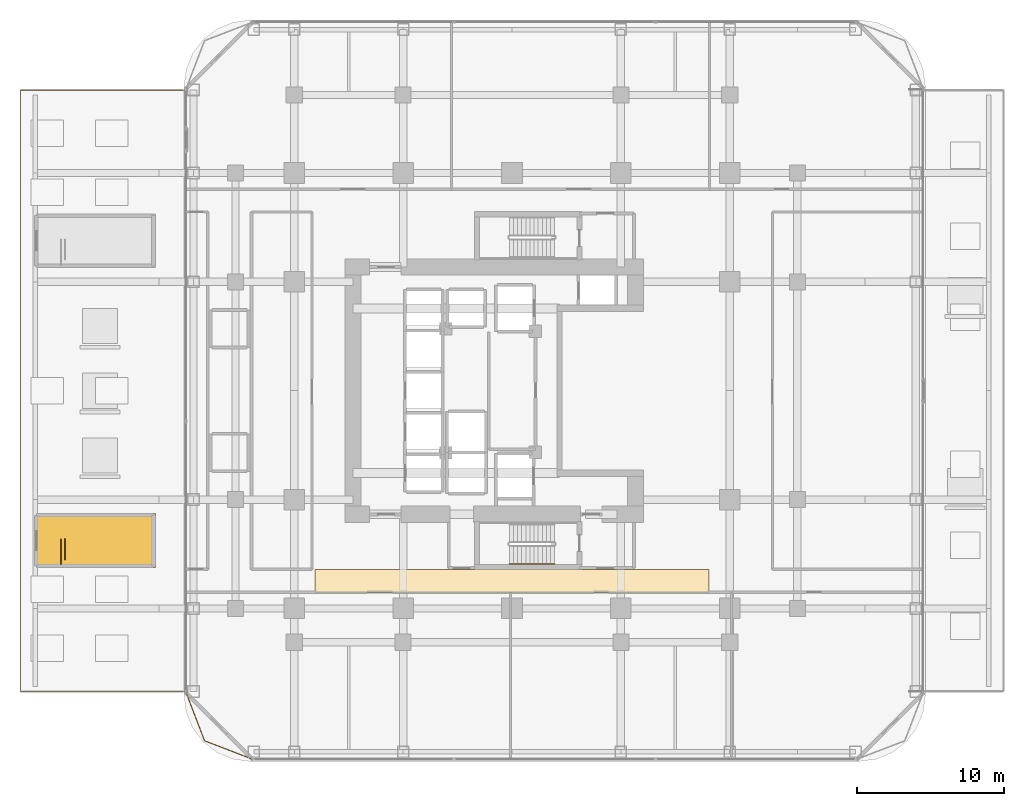
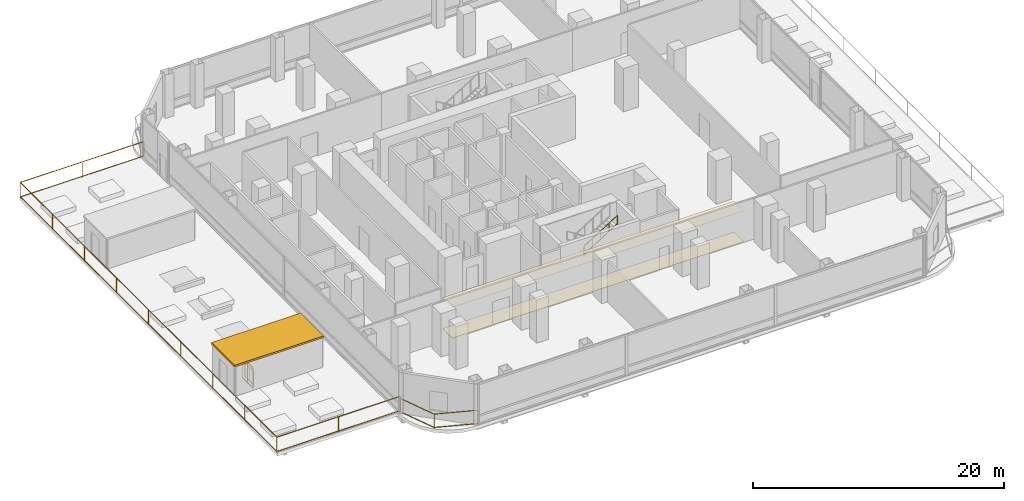
# One storey, part 26 of 29: 5 railings, 2 coverings, 1 shading device.
"""IFC4 building model written with IfcOpenShell, lengths in metres."""

import ifcopenshell
import ifcopenshell.guid

model = None  # the IFC model being written
_history = None  # IfcOwnerHistory: only IFC2X3 demands one
_inside = {}  # id of a spatial element -> (the spatial element, [elements in it])
_under = {}  # id of a project, library or spatial element -> (it, [spatial elements below it])
_declared = {}  # id of a project -> (the project, [libraries it declares])
_typed = {}  # id of a type object -> (the type object, [elements of that type])
_made_of = {}  # id of a material, layer set ... -> (it, [elements and type objects made of it])


def new_model(schema):
    """Start an empty IFC model of exactly this schema.

    Asked for "IFC4X3", IfcOpenShell would pick the latest addendum, in which some entities
    have other attributes; the version numbers below select the first issue.
    IFC2X3 requires an IfcOwnerHistory on every rooted entity: one is made here for all.
    """
    global model, _history
    if schema == "IFC4X3":
        model = ifcopenshell.file(schema_version=(4, 3, 0, 0))
    else:
        model = ifcopenshell.file(schema=schema)
    _inside.clear()
    _under.clear()
    _declared.clear()
    _typed.clear()
    _made_of.clear()
    _history = None
    if model.schema == "IFC2X3":
        org = make("IfcOrganization", Name="unknown")
        user = make(
            "IfcPersonAndOrganization",
            ThePerson=make("IfcPerson", FamilyName="unknown"),
            TheOrganization=org,
        )
        app = make(
            "IfcApplication",
            ApplicationDeveloper=org,
            Version="unknown",
            ApplicationFullName="unknown",
            ApplicationIdentifier="unknown",
        )
        _history = make(
            "IfcOwnerHistory",
            OwningUser=user,
            OwningApplication=app,
            ChangeAction="ADDED",
            CreationDate=0,
        )
    return model


def make(cls, **values):
    """One entity of the class cls with the attributes given. An attribute that is None is left unset."""
    return model.create_entity(
        cls, **{name: value for name, value in values.items() if value is not None}
    )


def rooted(cls, **values):
    """An entity with a GlobalId (a new one), such as an element, a storey or a relation."""
    return make(cls, GlobalId=ifcopenshell.guid.new(), OwnerHistory=_history, **values)


def si_unit(unit_type, name, prefix=None):
    """IfcSIUnit, for example si_unit("LENGTHUNIT", "METRE", prefix="MILLI")."""
    return make("IfcSIUnit", UnitType=unit_type, Prefix=prefix, Name=name)


def assignment(units):
    """IfcUnitAssignment: the units of a project."""
    return None if units is None else make("IfcUnitAssignment", Units=units)


def point(xyz):
    """IfcCartesianPoint."""
    return None if xyz is None else make("IfcCartesianPoint", Coordinates=xyz)


def direction(xyz):
    """IfcDirection."""
    return None if xyz is None else make("IfcDirection", DirectionRatios=xyz)


def frame(location, z_axis=None, x_axis=None):
    """IfcAxis2Placement3D, a coordinate frame: its origin and axes. An axis left out is left unset."""
    return make(
        "IfcAxis2Placement3D",
        Location=point(location),
        Axis=direction(z_axis),
        RefDirection=direction(x_axis),
    )


def frame_2d(location, x_axis=None):
    """IfcAxis2Placement2D, a coordinate frame in the plane: its origin and x axis."""
    return make(
        "IfcAxis2Placement2D", Location=point(location), RefDirection=direction(x_axis)
    )


def origin():
    """The frame at (0, 0, 0) with its axes left unset."""
    return frame((0.0, 0.0, 0.0))


def origin_2d():
    """The frame at (0, 0) in the plane with its x axis left unset."""
    return frame_2d((0.0, 0.0))


def place(relative_to, where):
    """IfcLocalPlacement: puts the frame where relative to a parent placement (None: the world)."""
    return make(
        "IfcLocalPlacement", PlacementRelTo=relative_to, RelativePlacement=where
    )


def context(
    kind, dimensions, precision=None, world=None, true_north=None, identifier=None
):
    """IfcGeometricRepresentationContext, for example the 3D "Model" context."""
    return make(
        "IfcGeometricRepresentationContext",
        ContextIdentifier=identifier,
        ContextType=kind,
        CoordinateSpaceDimension=dimensions,
        Precision=precision,
        WorldCoordinateSystem=world,
        TrueNorth=true_north,
    )


def subcontext(parent, identifier, kind, view, scale=None):
    """IfcGeometricRepresentationSubContext, for example "Body" below "Model"."""
    return make(
        "IfcGeometricRepresentationSubContext",
        ContextIdentifier=identifier,
        ContextType=kind,
        ParentContext=parent,
        TargetScale=scale,
        TargetView=view,
    )


def project(units=None, contexts=None):
    """IfcProject with its units and contexts."""
    return rooted(
        "IfcProject",
        Name="project",
        RepresentationContexts=contexts,
        UnitsInContext=assignment(units),
    )


def spatial(cls, under=None, at=None, **own):
    """A site, building, storey or space (cls), placed at a placement, below another one or the project."""
    s = rooted(cls, ObjectPlacement=at, **own)
    if under is not None:
        _under.setdefault(under.id(), (under, []))[1].append(s)
    return s


def polyline(points):
    """IfcPolyline through the points."""
    return make("IfcPolyline", Points=[point(p) for p in points])


def profile(cls, at=None, kind="AREA", **sizes):
    """A parametric profile (cls). Its sizes go by their IFC names, for example OverallWidth=200.0."""
    return make(cls, ProfileType=kind, Position=at, **sizes)


def rectangle(**sizes):
    """IfcRectangleProfileDef."""
    return profile("IfcRectangleProfileDef", **sizes)


def outline(outer, holes=None, kind="AREA"):
    """IfcArbitraryClosedProfileDef: a profile drawn as a closed curve; with holes, ...WithVoids."""
    if holes is None:
        return make("IfcArbitraryClosedProfileDef", ProfileType=kind, OuterCurve=outer)
    return make(
        "IfcArbitraryProfileDefWithVoids",
        ProfileType=kind,
        OuterCurve=outer,
        InnerCurves=holes,
    )


def extrude(swept, where, along, depth):
    """IfcExtrudedAreaSolid: the profile swept, set in the frame where, extruded along a direction by depth."""
    return make(
        "IfcExtrudedAreaSolid",
        SweptArea=swept,
        Position=where,
        ExtrudedDirection=direction(along),
        Depth=depth,
    )


def shape(context_of_items, identifier, shape_type, items):
    """IfcShapeRepresentation: the items that make up one representation, for example the "Body"."""
    return make(
        "IfcShapeRepresentation",
        ContextOfItems=context_of_items,
        RepresentationIdentifier=identifier,
        RepresentationType=shape_type,
        Items=items,
    )


def material(Name=None, Category=None):
    """IfcMaterial."""
    return make("IfcMaterial", Name=Name, Category=Category)


def layer(
    of_material, thickness, ventilated=None, Name=None, Category=None, Priority=None
):
    """IfcMaterialLayer: one layer of a wall or slab, of a material (None: an air gap)."""
    return make(
        "IfcMaterialLayer",
        Material=of_material,
        LayerThickness=thickness,
        IsVentilated=ventilated,
        Name=Name,
        Category=Category,
        Priority=Priority,
    )


def layer_set(layers, Name=None):
    """IfcMaterialLayerSet."""
    return make("IfcMaterialLayerSet", MaterialLayers=layers, LayerSetName=Name)


def made_of(thing, what):
    """Note that an element or type object is made of a material, layer set ...; save() writes the relation."""
    if what is not None:
        _made_of.setdefault(what.id(), (what, []))[1].append(thing)
    return thing


def type_object(cls, material=None, **own):
    """A type object (cls), such as IfcWallType, which elements share."""
    return made_of(rooted(cls, **own), material)


def element(
    cls,
    number,
    at=None,
    inside=None,
    cuts=None,
    type_object=None,
    material=None,
    context=None,
    identifier="Body",
    shape_type=None,
    held_by="IfcProductDefinitionShape",
    body=None,
    shapes=None,
    **own,
):
    """One element of the class cls, such as IfcWall. Its Tag is "e" and its number.

    at: its placement. inside: the storey or other place that contains it. cuts: it is an
    opening in that element (IfcRelVoidsElement). A single representation is given by context,
    identifier, shape_type and body (its items); several are given by shapes. held_by: the class
    of the entity that holds the representations. save() writes the other relations.
    """
    e = rooted(cls, Tag="e%d" % number, ObjectPlacement=at, **own)
    if body is not None:
        shapes = [shape(context, identifier, shape_type, body)]
    if shapes is not None:
        e.Representation = make(held_by, Representations=shapes)
    if inside is not None:
        _inside.setdefault(inside.id(), (inside, []))[1].append(e)
    if cuts is not None:
        rooted(
            "IfcRelVoidsElement", RelatingBuildingElement=cuts, RelatedOpeningElement=e
        )
    if type_object is not None:
        _typed.setdefault(type_object.id(), (type_object, []))[1].append(e)
    return made_of(e, material)


def aggregate(whole, parts):
    """IfcRelAggregates: a whole, such as a stair, and the parts it consists of."""
    return rooted("IfcRelAggregates", RelatingObject=whole, RelatedObjects=parts)


def save(model, path):
    """Write the relations noted so far, then the file.

    IfcRelAggregates (storeys below a building ...), IfcRelContainedInSpatialStructure (elements
    in a storey), IfcRelDefinesByType, IfcRelAssociatesMaterial and IfcRelDeclares: one each for
    every whole, place, type object, material and project.
    """
    for whole, parts in _under.values():
        aggregate(whole, parts)
    for where, things in _inside.values():
        rooted(
            "IfcRelContainedInSpatialStructure",
            RelatedElements=things,
            RelatingStructure=where,
        )
    for kind, things in _typed.values():
        rooted("IfcRelDefinesByType", RelatedObjects=things, RelatingType=kind)
    for what, things in _made_of.values():
        rooted("IfcRelAssociatesMaterial", RelatedObjects=things, RelatingMaterial=what)
    for by, libraries in _declared.values():
        rooted("IfcRelDeclares", RelatingContext=by, RelatedDefinitions=libraries)
    model.write(path)


model = new_model("IFC4")

# Units and contexts
model_context = context("Model", 3, precision=1e-05, world=origin(), true_north=direction((0.0, 1.0)))
body_context = subcontext(model_context, "Body", "Model", "MODEL_VIEW")
ifc_project = project(units=[si_unit("LENGTHUNIT", "METRE"), si_unit("AREAUNIT", "SQUARE_METRE"), si_unit("VOLUMEUNIT", "CUBIC_METRE"), si_unit("PLANEANGLEUNIT", "RADIAN"), si_unit("MASSUNIT", "GRAM", prefix="KILO")], contexts=[model_context])

# Site, building, storey
site_placement = place(None, origin())
site = spatial("IfcSite", under=ifc_project, at=site_placement, CompositionType="ELEMENT")
building_placement = place(site_placement, origin())
building = spatial("IfcBuilding", under=site, at=building_placement, Name="Khorvyn Point Tower", CompositionType="ELEMENT")
storey_placement = place(building_placement, frame((0.0, 0.0, 26.39990234375)))
storey = spatial("IfcBuildingStorey", under=building, at=storey_placement, Name="L07", CompositionType="ELEMENT", Elevation=26.39990234375)

# Shading device
ifc_material_1 = material(Name="Bronze anodised aluminium 6063-T6", Category="aluminium")
ifc_layer_1 = layer(ifc_material_1, 0.139892578125)
ifc_layer_set_1 = layer_set([ifc_layer_1], Name="Anodised Aluminium Horizontal Monsoon Sunshade Canopy")
shading_device_type = type_object("IfcShadingDeviceType", Name="Anodised Aluminium Horizontal Monsoon Sunshade Canopy", PredefinedType="AWNING", material=ifc_layer_set_1)
shading_device_placement = place(storey_placement, frame((0.0, 0.0, 2.840087890625)))
element("IfcShadingDevice", 1, at=shading_device_placement, inside=storey, type_object=shading_device_type, Name="L07 STS1 Headhouse Weather Canopy", PredefinedType="AWNING", context=body_context, shape_type="SweptSolid", body=[
    extrude(outline(polyline([(-32.449951171875, -12.02001953125), (-24.25, -12.02001953125), (-24.25, -8.360107421875), (-32.449951171875, -8.360107421875), (-32.449951171875, -12.02001953125)])), origin(), (0.0, 0.0, 1.0), 0.179931640625),
])

# Railing
ifc_material_2 = material(Name="Anodised aluminium 6063-T6 and laminated safety glass", Category="aluminium")
railing_type_1 = type_object("IfcRailingType", Name="Laminated Glass and Aluminium Balcony Guardrail 1400", PredefinedType="BALUSTRADE", material=ifc_material_2)
railing_1_placement = place(storey_placement, frame((-22.174072265625, -20.470703125, 0.0)))
element("IfcRailing", 2, at=railing_1_placement, inside=storey, type_object=railing_type_1, Name="L07 Rounded Corner Edge Guardrail SW", PredefinedType="BALUSTRADE", context=body_context, shape_type="SweptSolid", body=[
    extrude(rectangle(XDim=0.048095703125, YDim=0.048095703125, at=origin_2d()), frame((0.0, 0.0, 1.3759765625), z_axis=(0.358359142172, -0.933583807283, 0.0), x_axis=(0.933583807283, 0.358359142172, 0.0)), (0.0, 0.0, 1.0), 3.56298828125),
    extrude(rectangle(XDim=0.048095703125, YDim=0.048095703125, at=origin_2d()), frame((0.0, 0.0, 0.080078125), z_axis=(0.358359142172, -0.933583807283, 0.0), x_axis=(0.933583807283, 0.358359142172, 0.0)), (0.0, 0.0, 1.0), 3.56298828125),
    extrude(rectangle(XDim=0.048095703125, YDim=0.048095703125, at=origin_2d()), frame((1.27685546875, -3.326416015625, 1.3759765625), z_axis=(0.933583807283, -0.358359142172, 0.0), x_axis=(0.358359142172, 0.933583807283, 0.0)), (0.0, 0.0, 1.0), 3.56298828125),
    extrude(rectangle(XDim=0.048095703125, YDim=0.048095703125, at=origin_2d()), frame((1.27685546875, -3.326416015625, 0.080078125), z_axis=(0.933583807283, -0.358359142172, 0.0), x_axis=(0.358359142172, 0.933583807283, 0.0)), (0.0, 0.0, 1.0), 3.56298828125),
    extrude(rectangle(XDim=0.0419921875, YDim=0.0419921875, at=origin_2d()), origin(), (0.0, 0.0, 1.0), 1.351806640625),
    extrude(rectangle(XDim=0.0419921875, YDim=0.0419921875, at=origin_2d()), frame((1.27685546875, -3.326416015625, 0.0)), (0.0, 0.0, 1.0), 1.351806640625),
    extrude(rectangle(XDim=0.0419921875, YDim=0.0419921875, at=origin_2d()), frame((4.603271484375, -4.603271484375, 0.0)), (0.0, 0.0, 1.0), 1.351806640625),
])

# Coverings
ifc_material_3 = material(Name="Mineral-fibre acoustic ceiling board", Category="gypsum")
ifc_layer_2 = layer(ifc_material_3, 0.02001953125)
ifc_layer_set_2 = layer_set([ifc_layer_2], Name="Perforated Mineral-Fibre Acoustic Suspended Ceiling 20")
covering_type_1 = type_object("IfcCoveringType", Name="Perforated Mineral-Fibre Acoustic Suspended Ceiling 20", PredefinedType="CEILING", material=ifc_layer_set_2)
covering_1_placement = place(storey_placement, frame((0.0, 0.0, 3.0)))
element("IfcCovering", 3, at=covering_1_placement, inside=storey, type_object=covering_type_1, Name="L07 South Corridor Acoustic Ceiling", PredefinedType="CEILING", context=body_context, shape_type="SweptSolid", body=[
    extrude(outline(polyline([(-13.39990234375, -13.7099609375), (13.39990234375, -13.7099609375), (13.39990234375, -12.139892578125), (-13.39990234375, -12.139892578125), (-13.39990234375, -13.7099609375)])), origin(), (0.0, 0.0, 1.0), 0.02001953125),
])
ifc_material_4 = material(Name="Vitrified porcelain terrazzo tile", Category="ceramic")
ifc_layer_3 = layer(ifc_material_4, 0.01806640625)
ifc_layer_set_3 = layer_set([ifc_layer_3], Name="Porcelain Terrazzo Corridor Floor Finish Tile 18")
covering_type_2 = type_object("IfcCoveringType", Name="Porcelain Terrazzo Corridor Floor Finish Tile 18", PredefinedType="FLOORING", material=ifc_layer_set_3)
covering_2_placement = place(storey_placement, origin())
element("IfcCovering", 4, at=covering_2_placement, inside=storey, type_object=covering_type_2, Name="L07 South Corridor Terrazzo Flooring", PredefinedType="FLOORING", context=body_context, shape_type="SweptSolid", body=[
    extrude(outline(polyline([(-13.39990234375, -13.7099609375), (13.39990234375, -13.7099609375), (13.39990234375, -12.139892578125), (-13.39990234375, -12.139892578125), (-13.39990234375, -13.7099609375)])), origin(), (0.0, 0.0, 1.0), 0.01806640625),
])

# Railings
ifc_material_5 = material(Name="Stainless steel 1.4401", Category="steel")
railing_type_2 = type_object("IfcRailingType", Name="School Terrace Anti-Climb Safety Guardrail 1500", PredefinedType="GUARDRAIL", material=ifc_material_5)
railing_2_placement = place(storey_placement, frame((-22.050048828125, -20.419921875, 0.0)))
element("IfcRailing", 5, at=railing_2_placement, inside=storey, type_object=railing_type_2, Name="L07 West Botanical Garden Perimeter Guardrail", PredefinedType="GUARDRAIL", context=body_context, shape_type="SweptSolid", body=[
    extrude(rectangle(XDim=0.048095703125, YDim=0.048095703125, at=origin_2d()), frame((0.0, 0.0, 1.47607421875), z_axis=(-1.0, 0.0, 0.0), x_axis=(0.0, -1.0, 0.0)), (0.0, 0.0, 1.0), 11.369873046875),
    extrude(rectangle(XDim=0.048095703125, YDim=0.048095703125, at=origin_2d()), frame((0.0, 0.0, 0.080078125), z_axis=(-1.0, 0.0, 0.0), x_axis=(0.0, -1.0, 0.0)), (0.0, 0.0, 1.0), 11.369873046875),
    extrude(rectangle(XDim=0.048095703125, YDim=0.048095703125, at=origin_2d()), frame((-11.369873046875, 0.0, 1.47607421875), z_axis=(0.0, 1.0, 0.0), x_axis=(-1.0, 0.0, 0.0)), (0.0, 0.0, 1.0), 40.83984375),
    extrude(rectangle(XDim=0.048095703125, YDim=0.048095703125, at=origin_2d()), frame((-11.369873046875, 0.0, 0.080078125), z_axis=(0.0, 1.0, 0.0), x_axis=(-1.0, 0.0, 0.0)), (0.0, 0.0, 1.0), 40.83984375),
    extrude(rectangle(XDim=0.048095703125, YDim=0.048095703125, at=origin_2d()), frame((-11.369873046875, 40.83984375, 1.47607421875), z_axis=(1.0, 0.0, 0.0), x_axis=(0.0, 1.0, 0.0)), (0.0, 0.0, 1.0), 11.369873046875),
    extrude(rectangle(XDim=0.048095703125, YDim=0.048095703125, at=origin_2d()), frame((-11.369873046875, 40.83984375, 0.080078125), z_axis=(1.0, 0.0, 0.0), x_axis=(0.0, 1.0, 0.0)), (0.0, 0.0, 1.0), 11.369873046875),
    extrude(rectangle(XDim=0.0419921875, YDim=0.0419921875, at=origin_2d()), origin(), (0.0, 0.0, 1.0), 1.451904296875),
    extrude(rectangle(XDim=0.0419921875, YDim=0.0419921875, at=origin_2d()), frame((-5.68505859375, 0.0, 0.0)), (0.0, 0.0, 1.0), 1.451904296875),
    extrude(rectangle(XDim=0.0419921875, YDim=0.0419921875, at=origin_2d()), frame((-11.369873046875, 0.0, 0.0)), (0.0, 0.0, 1.0), 1.451904296875),
    extrude(rectangle(XDim=0.0419921875, YDim=0.0419921875, at=origin_2d()), frame((-11.369873046875, 5.10498046875, 0.0)), (0.0, 0.0, 1.0), 1.451904296875),
    extrude(rectangle(XDim=0.0419921875, YDim=0.0419921875, at=origin_2d()), frame((-11.369873046875, 10.2099609375, 0.0)), (0.0, 0.0, 1.0), 1.451904296875),
    extrude(rectangle(XDim=0.0419921875, YDim=0.0419921875, at=origin_2d()), frame((-11.369873046875, 15.31494140625, 0.0)), (0.0, 0.0, 1.0), 1.451904296875),
    extrude(rectangle(XDim=0.0419921875, YDim=0.0419921875, at=origin_2d()), frame((-11.369873046875, 20.419921875, 0.0)), (0.0, 0.0, 1.0), 1.451904296875),
    extrude(rectangle(XDim=0.0419921875, YDim=0.0419921875, at=origin_2d()), frame((-11.369873046875, 25.52490234375, 0.0)), (0.0, 0.0, 1.0), 1.451904296875),
    extrude(rectangle(XDim=0.0419921875, YDim=0.0419921875, at=origin_2d()), frame((-11.369873046875, 30.6298828125, 0.0)), (0.0, 0.0, 1.0), 1.451904296875),
    extrude(rectangle(XDim=0.0419921875, YDim=0.0419921875, at=origin_2d()), frame((-11.369873046875, 35.73486328125, 0.0)), (0.0, 0.0, 1.0), 1.451904296875),
    extrude(rectangle(XDim=0.0419921875, YDim=0.0419921875, at=origin_2d()), frame((-11.369873046875, 40.83984375, 0.0)), (0.0, 0.0, 1.0), 1.451904296875),
    extrude(rectangle(XDim=0.0419921875, YDim=0.0419921875, at=origin_2d()), frame((-5.68505859375, 40.83984375, 0.0)), (0.0, 0.0, 1.0), 1.451904296875),
    extrude(rectangle(XDim=0.0419921875, YDim=0.0419921875, at=origin_2d()), frame((0.0, 40.83984375, 0.0)), (0.0, 0.0, 1.0), 1.451904296875),
])
ifc_material_6 = material(Name="Stainless steel 1.4301", Category="steel")
railing_type_3 = type_object("IfcRailingType", Name="Stainless Steel 304 Stair Pitch Handrail 900", PredefinedType="HANDRAIL", material=ifc_material_6)
railing_3_placement = place(storey_placement, frame((-0.179931640625, -11.77001953125, 2.275146484375)))
element("IfcRailing", 6, at=railing_3_placement, inside=storey, type_object=railing_type_3, Name="L07 ST-01 stair handrail 2", PredefinedType="HANDRAIL", context=body_context, shape_type="SweptSolid", body=[
    extrude(rectangle(XDim=0.048095703125, YDim=0.048095703125, at=origin_2d()), frame((0.0, 0.0, 0.8759765625), z_axis=(0.847979421464, 0.0, 0.530029150871), x_axis=(0.0, 1.0, 0.0)), (0.0, 0.0, 1.0), 3.632080078125),
    extrude(rectangle(XDim=0.048095703125, YDim=0.048095703125, at=origin_2d()), frame((0.0, 0.0, 0.080078125), z_axis=(0.847979421464, 0.0, 0.530029150871), x_axis=(0.0, 1.0, 0.0)), (0.0, 0.0, 1.0), 3.632080078125),
    extrude(rectangle(XDim=0.0419921875, YDim=0.0419921875, at=origin_2d()), origin(), (0.0, 0.0, 1.0), 0.851806640625),
    extrude(rectangle(XDim=0.0419921875, YDim=0.0419921875, at=origin_2d()), frame((0.77001953125, 0.0, 0.481201171875)), (0.0, 0.0, 1.0), 0.851806640625),
    extrude(rectangle(XDim=0.0419921875, YDim=0.0419921875, at=origin_2d()), frame((1.5400390625, 0.0, 0.96240234375)), (0.0, 0.0, 1.0), 0.851806640625),
    extrude(rectangle(XDim=0.0419921875, YDim=0.0419921875, at=origin_2d()), frame((2.309814453125, 0.0, 1.44384765625)), (0.0, 0.0, 1.0), 0.851806640625),
    extrude(rectangle(XDim=0.0419921875, YDim=0.0419921875, at=origin_2d()), frame((3.079833984375, 0.0, 1.925048828125)), (0.0, 0.0, 1.0), 0.851806640625),
])
railing_type_4 = type_object("IfcRailingType", Name="Stainless Steel 304 Stair Well Guardrail 1400", PredefinedType="GUARDRAIL", material=ifc_material_6)
railing_4_placement = place(storey_placement, frame((-30.64990234375, -11.820068359375, 0.0)))
element("IfcRailing", 7, at=railing_4_placement, inside=storey, type_object=railing_type_4, Name="L07 ST-S1 top well guard 1", PredefinedType="GUARDRAIL", context=body_context, shape_type="SweptSolid", body=[
    extrude(rectangle(XDim=0.048095703125, YDim=0.048095703125, at=origin_2d()), frame((0.0, 0.0, 2.02587890625), z_axis=(0.0, 1.0, 0.0), x_axis=(-1.0, 0.0, 0.0)), (0.0, 0.0, 1.0), 1.7099609375),
    extrude(rectangle(XDim=0.048095703125, YDim=0.048095703125, at=origin_2d()), frame((0.0, 0.0, 0.080078125), z_axis=(0.0, 1.0, 0.0), x_axis=(-1.0, 0.0, 0.0)), (0.0, 0.0, 1.0), 1.7099609375),
    extrude(rectangle(XDim=0.0419921875, YDim=0.0419921875, at=origin_2d()), origin(), (0.0, 0.0, 1.0), 2.001953125),
    extrude(rectangle(XDim=0.0419921875, YDim=0.0419921875, at=origin_2d()), frame((0.0, 0.85498046875, 0.0)), (0.0, 0.0, 1.0), 2.001953125),
    extrude(rectangle(XDim=0.0419921875, YDim=0.0419921875, at=origin_2d()), frame((0.0, 1.7099609375, 0.0)), (0.0, 0.0, 1.0), 2.001953125),
])
railing_5_placement = place(storey_placement, frame((-30.3798828125, -11.469970703125, 0.0)))
element("IfcRailing", 8, at=railing_5_placement, inside=storey, type_object=railing_type_4, Name="L07 ST-S1 Top-Well Lip Guardrail", PredefinedType="GUARDRAIL", context=body_context, shape_type="SweptSolid", body=[
    extrude(rectangle(XDim=0.048095703125, YDim=0.048095703125, at=origin_2d()), frame((0.0, 0.0, 1.3759765625), z_axis=(0.0, 1.0, 0.0), x_axis=(-1.0, 0.0, 0.0)), (0.0, 0.0, 1.0), 1.3798828125),
    extrude(rectangle(XDim=0.048095703125, YDim=0.048095703125, at=origin_2d()), frame((0.0, 0.0, 0.080078125), z_axis=(0.0, 1.0, 0.0), x_axis=(-1.0, 0.0, 0.0)), (0.0, 0.0, 1.0), 1.3798828125),
    extrude(rectangle(XDim=0.0419921875, YDim=0.0419921875, at=origin_2d()), origin(), (0.0, 0.0, 1.0), 1.351806640625),
    extrude(rectangle(XDim=0.0419921875, YDim=0.0419921875, at=origin_2d()), frame((0.0, 0.68994140625, 0.0)), (0.0, 0.0, 1.0), 1.351806640625),
    extrude(rectangle(XDim=0.0419921875, YDim=0.0419921875, at=origin_2d()), frame((0.0, 1.3798828125, 0.0)), (0.0, 0.0, 1.0), 1.351806640625),
])

save(model, "model.ifc")
